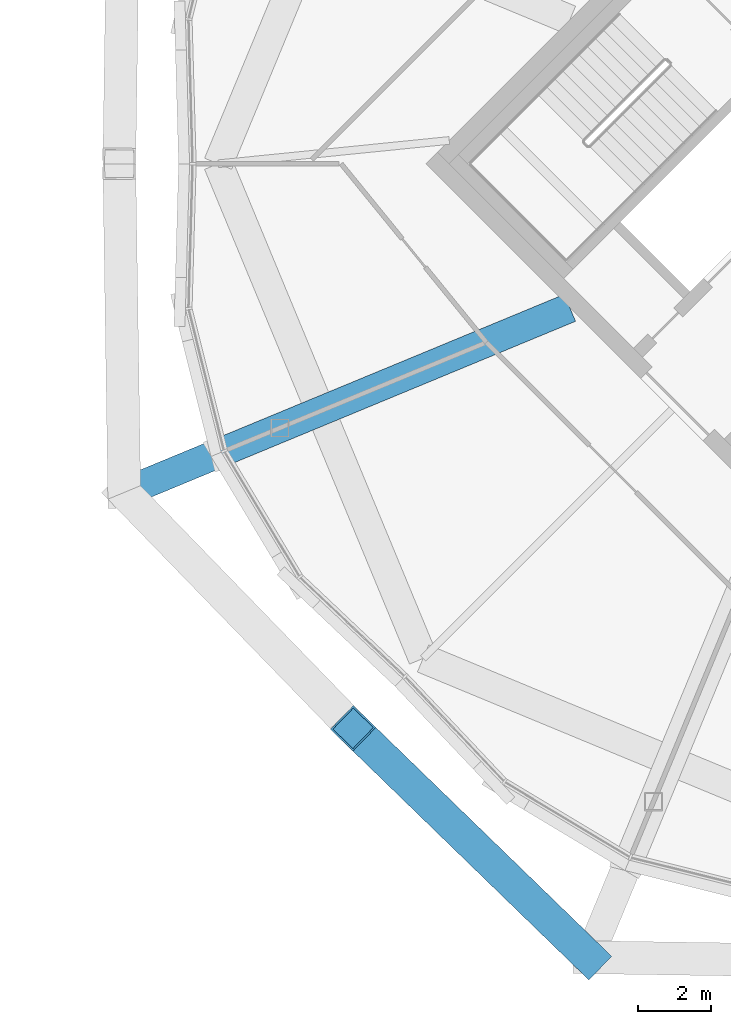
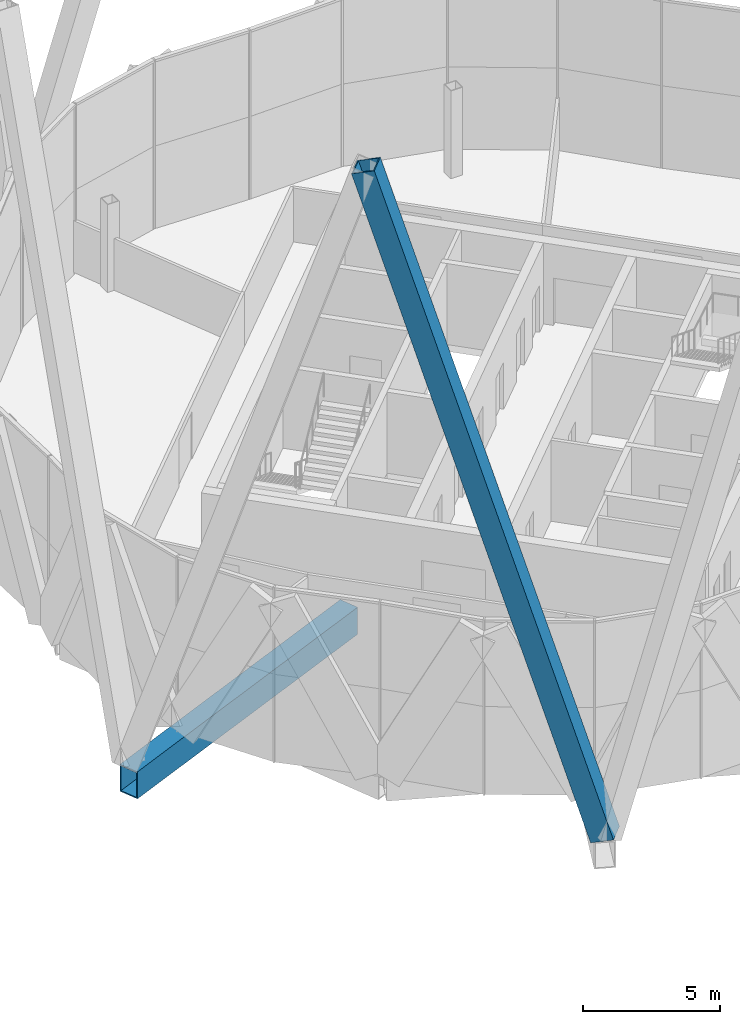
# One storey, part 23 of 53: 1 beam, 1 member.
"""IFC4 building model written with IfcOpenShell, lengths in metres."""

import ifcopenshell
import ifcopenshell.guid

model = None  # the IFC model being written
_history = None  # IfcOwnerHistory: only IFC2X3 demands one
_inside = {}  # id of a spatial element -> (the spatial element, [elements in it])
_under = {}  # id of a project, library or spatial element -> (it, [spatial elements below it])
_declared = {}  # id of a project -> (the project, [libraries it declares])
_typed = {}  # id of a type object -> (the type object, [elements of that type])
_made_of = {}  # id of a material, layer set ... -> (it, [elements and type objects made of it])


def new_model(schema):
    """Start an empty IFC model of exactly this schema.

    Asked for "IFC4X3", IfcOpenShell would pick the latest addendum, in which some entities
    have other attributes; the version numbers below select the first issue.
    IFC2X3 requires an IfcOwnerHistory on every rooted entity: one is made here for all.
    """
    global model, _history
    if schema == "IFC4X3":
        model = ifcopenshell.file(schema_version=(4, 3, 0, 0))
    else:
        model = ifcopenshell.file(schema=schema)
    _inside.clear()
    _under.clear()
    _declared.clear()
    _typed.clear()
    _made_of.clear()
    _history = None
    if model.schema == "IFC2X3":
        org = make("IfcOrganization", Name="unknown")
        user = make(
            "IfcPersonAndOrganization",
            ThePerson=make("IfcPerson", FamilyName="unknown"),
            TheOrganization=org,
        )
        app = make(
            "IfcApplication",
            ApplicationDeveloper=org,
            Version="unknown",
            ApplicationFullName="unknown",
            ApplicationIdentifier="unknown",
        )
        _history = make(
            "IfcOwnerHistory",
            OwningUser=user,
            OwningApplication=app,
            ChangeAction="ADDED",
            CreationDate=0,
        )
    return model


def make(cls, **values):
    """One entity of the class cls with the attributes given. An attribute that is None is left unset."""
    return model.create_entity(
        cls, **{name: value for name, value in values.items() if value is not None}
    )


def rooted(cls, **values):
    """An entity with a GlobalId (a new one), such as an element, a storey or a relation."""
    return make(cls, GlobalId=ifcopenshell.guid.new(), OwnerHistory=_history, **values)


def si_unit(unit_type, name, prefix=None):
    """IfcSIUnit, for example si_unit("LENGTHUNIT", "METRE", prefix="MILLI")."""
    return make("IfcSIUnit", UnitType=unit_type, Prefix=prefix, Name=name)


def assignment(units):
    """IfcUnitAssignment: the units of a project."""
    return None if units is None else make("IfcUnitAssignment", Units=units)


def point(xyz):
    """IfcCartesianPoint."""
    return None if xyz is None else make("IfcCartesianPoint", Coordinates=xyz)


def direction(xyz):
    """IfcDirection."""
    return None if xyz is None else make("IfcDirection", DirectionRatios=xyz)


def frame(location, z_axis=None, x_axis=None):
    """IfcAxis2Placement3D, a coordinate frame: its origin and axes. An axis left out is left unset."""
    return make(
        "IfcAxis2Placement3D",
        Location=point(location),
        Axis=direction(z_axis),
        RefDirection=direction(x_axis),
    )


def frame_2d(location, x_axis=None):
    """IfcAxis2Placement2D, a coordinate frame in the plane: its origin and x axis."""
    return make(
        "IfcAxis2Placement2D", Location=point(location), RefDirection=direction(x_axis)
    )


def origin():
    """The frame at (0, 0, 0) with its axes left unset."""
    return frame((0.0, 0.0, 0.0))


def origin_2d():
    """The frame at (0, 0) in the plane with its x axis left unset."""
    return frame_2d((0.0, 0.0))


def place(relative_to, where):
    """IfcLocalPlacement: puts the frame where relative to a parent placement (None: the world)."""
    return make(
        "IfcLocalPlacement", PlacementRelTo=relative_to, RelativePlacement=where
    )


def context(
    kind, dimensions, precision=None, world=None, true_north=None, identifier=None
):
    """IfcGeometricRepresentationContext, for example the 3D "Model" context."""
    return make(
        "IfcGeometricRepresentationContext",
        ContextIdentifier=identifier,
        ContextType=kind,
        CoordinateSpaceDimension=dimensions,
        Precision=precision,
        WorldCoordinateSystem=world,
        TrueNorth=true_north,
    )


def subcontext(parent, identifier, kind, view, scale=None):
    """IfcGeometricRepresentationSubContext, for example "Body" below "Model"."""
    return make(
        "IfcGeometricRepresentationSubContext",
        ContextIdentifier=identifier,
        ContextType=kind,
        ParentContext=parent,
        TargetScale=scale,
        TargetView=view,
    )


def project(units=None, contexts=None):
    """IfcProject with its units and contexts."""
    return rooted(
        "IfcProject",
        Name="project",
        RepresentationContexts=contexts,
        UnitsInContext=assignment(units),
    )


def spatial(cls, under=None, at=None, **own):
    """A site, building, storey or space (cls), placed at a placement, below another one or the project."""
    s = rooted(cls, ObjectPlacement=at, **own)
    if under is not None:
        _under.setdefault(under.id(), (under, []))[1].append(s)
    return s


def profile(cls, at=None, kind="AREA", **sizes):
    """A parametric profile (cls). Its sizes go by their IFC names, for example OverallWidth=200.0."""
    return make(cls, ProfileType=kind, Position=at, **sizes)


def hollow_rectangle(**sizes):
    """IfcRectangleHollowProfileDef."""
    return profile("IfcRectangleHollowProfileDef", **sizes)


def extrude(swept, where, along, depth):
    """IfcExtrudedAreaSolid: the profile swept, set in the frame where, extruded along a direction by depth."""
    return make(
        "IfcExtrudedAreaSolid",
        SweptArea=swept,
        Position=where,
        ExtrudedDirection=direction(along),
        Depth=depth,
    )


def shape(context_of_items, identifier, shape_type, items):
    """IfcShapeRepresentation: the items that make up one representation, for example the "Body"."""
    return make(
        "IfcShapeRepresentation",
        ContextOfItems=context_of_items,
        RepresentationIdentifier=identifier,
        RepresentationType=shape_type,
        Items=items,
    )


def material(Name=None, Category=None):
    """IfcMaterial."""
    return make("IfcMaterial", Name=Name, Category=Category)


def material_profile(
    of_material, cross_section, Name=None, Category=None, Priority=None
):
    """IfcMaterialProfile: a cross section and its material."""
    return make(
        "IfcMaterialProfile",
        Name=Name,
        Material=of_material,
        Profile=cross_section,
        Priority=Priority,
        Category=Category,
    )


def profile_set(profiles, Name=None, composite=None):
    """IfcMaterialProfileSet."""
    return make(
        "IfcMaterialProfileSet",
        Name=Name,
        MaterialProfiles=profiles,
        CompositeProfile=composite,
    )


def made_of(thing, what):
    """Note that an element or type object is made of a material, layer set ...; save() writes the relation."""
    if what is not None:
        _made_of.setdefault(what.id(), (what, []))[1].append(thing)
    return thing


def type_object(cls, material=None, **own):
    """A type object (cls), such as IfcWallType, which elements share."""
    return made_of(rooted(cls, **own), material)


def element(
    cls,
    number,
    at=None,
    inside=None,
    cuts=None,
    type_object=None,
    material=None,
    context=None,
    identifier="Body",
    shape_type=None,
    held_by="IfcProductDefinitionShape",
    body=None,
    shapes=None,
    **own,
):
    """One element of the class cls, such as IfcWall. Its Tag is "e" and its number.

    at: its placement. inside: the storey or other place that contains it. cuts: it is an
    opening in that element (IfcRelVoidsElement). A single representation is given by context,
    identifier, shape_type and body (its items); several are given by shapes. held_by: the class
    of the entity that holds the representations. save() writes the other relations.
    """
    e = rooted(cls, Tag="e%d" % number, ObjectPlacement=at, **own)
    if body is not None:
        shapes = [shape(context, identifier, shape_type, body)]
    if shapes is not None:
        e.Representation = make(held_by, Representations=shapes)
    if inside is not None:
        _inside.setdefault(inside.id(), (inside, []))[1].append(e)
    if cuts is not None:
        rooted(
            "IfcRelVoidsElement", RelatingBuildingElement=cuts, RelatedOpeningElement=e
        )
    if type_object is not None:
        _typed.setdefault(type_object.id(), (type_object, []))[1].append(e)
    return made_of(e, material)


def aggregate(whole, parts):
    """IfcRelAggregates: a whole, such as a stair, and the parts it consists of."""
    return rooted("IfcRelAggregates", RelatingObject=whole, RelatedObjects=parts)


def save(model, path):
    """Write the relations noted so far, then the file.

    IfcRelAggregates (storeys below a building ...), IfcRelContainedInSpatialStructure (elements
    in a storey), IfcRelDefinesByType, IfcRelAssociatesMaterial and IfcRelDeclares: one each for
    every whole, place, type object, material and project.
    """
    for whole, parts in _under.values():
        aggregate(whole, parts)
    for where, things in _inside.values():
        rooted(
            "IfcRelContainedInSpatialStructure",
            RelatedElements=things,
            RelatingStructure=where,
        )
    for kind, things in _typed.values():
        rooted("IfcRelDefinesByType", RelatedObjects=things, RelatingType=kind)
    for what, things in _made_of.values():
        rooted("IfcRelAssociatesMaterial", RelatedObjects=things, RelatingMaterial=what)
    for by, libraries in _declared.values():
        rooted("IfcRelDeclares", RelatingContext=by, RelatedDefinitions=libraries)
    model.write(path)


model = new_model("IFC4")

# Units and contexts
model_context = context("Model", 3, precision=1e-05, world=origin(), true_north=direction((0.0, 1.0)))
body_context = subcontext(model_context, "Body", "Model", "MODEL_VIEW")
ifc_project = project(units=[si_unit("LENGTHUNIT", "METRE"), si_unit("AREAUNIT", "SQUARE_METRE"), si_unit("VOLUMEUNIT", "CUBIC_METRE"), si_unit("PLANEANGLEUNIT", "RADIAN"), si_unit("MASSUNIT", "GRAM", prefix="KILO")], contexts=[model_context])

# Site, building, storey
site_placement = place(None, origin())
site = spatial("IfcSite", under=ifc_project, at=site_placement, CompositionType="ELEMENT")
building_placement = place(site_placement, origin())
building = spatial("IfcBuilding", under=site, at=building_placement, Name="Ogive Gate Towers", CompositionType="ELEMENT")
storey_placement = place(building_placement, frame((0.0, 0.0, 240.60009765625)))
storey = spatial("IfcBuildingStorey", under=building, at=storey_placement, Name="L57", CompositionType="ELEMENT", Elevation=240.60009765625)

# Member
ifc_material = material(Name="Steel SM460", Category="steel")
ifc_material_profile_1 = material_profile(ifc_material, hollow_rectangle(XDim=0.89990234375, YDim=0.89990234375, WallThickness=0.050048828125, at=origin_2d()), Name="BX 900x900x50")
ifc_profile_set_1 = profile_set([ifc_material_profile_1], Name="Steel SM460")
member_type = type_object("IfcMemberType", Name="Diagrid diagonal BX 900x900x50", PredefinedType="BRACE", material=ifc_profile_set_1)
member_placement = place(storey_placement, frame((27.022216796875, -21.67431640625, 0.0), z_axis=(-0.217751746913, 0.211259451685, 0.952866003586), x_axis=(-0.696326291775, -0.717725362087, 0.0)))
element("IfcMember", 1, at=member_placement, inside=storey, type_object=member_type, Name="T2/L57/SDG011", PredefinedType="BRACE", context=body_context, shape_type="SweptSolid", body=[
    extrude(hollow_rectangle(XDim=0.89990234375, YDim=0.89990234375, WallThickness=0.050048828125, at=origin_2d()), origin(), (0.0, 0.0, 1.0), 29.594970703125),
])

# Beam
ifc_material_profile_2 = material_profile(ifc_material, hollow_rectangle(XDim=0.800048828125, YDim=1.199951171875, WallThickness=0.050048828125, at=origin_2d()), Name="BX 1200x800x50")
ifc_profile_set_2 = profile_set([ifc_material_profile_2], Name="Steel SM460")
beam_type = type_object("IfcBeamType", Name="Transfer radial beam BX 1200x800x50", PredefinedType="BEAM", material=ifc_profile_set_2)
beam_placement = place(storey_placement, frame((26.5, -3.93505859375, -0.900146484375), z_axis=(-0.923880669006, -0.382680688612, 0.0), x_axis=(0.382680688612, -0.923880669006, 0.0)))
element("IfcBeam", 2, at=beam_placement, inside=storey, type_object=beam_type, Name="T2/L57/SBM016", PredefinedType="BEAM", context=body_context, shape_type="SweptSolid", body=[
    extrude(hollow_rectangle(XDim=0.800048828125, YDim=1.199951171875, WallThickness=0.050048828125, at=origin_2d()), origin(), (0.0, 0.0, 1.0), 13.177490234375),
])

save(model, "model.ifc")
